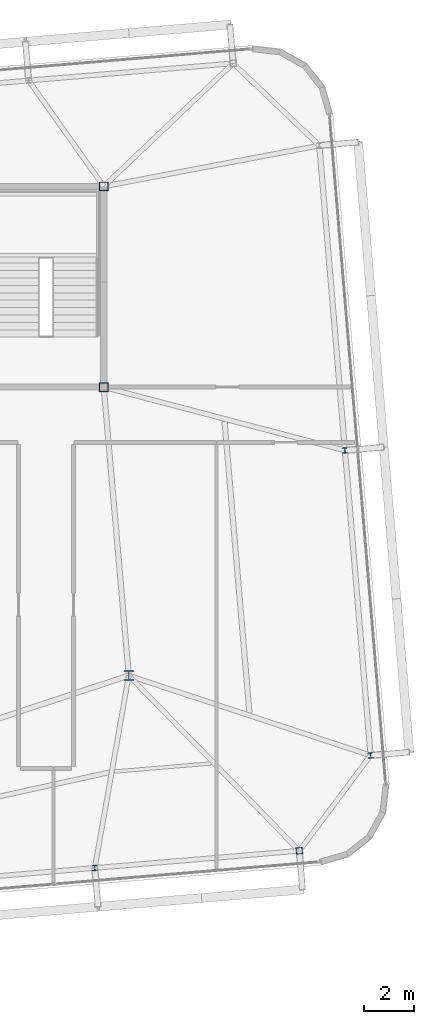
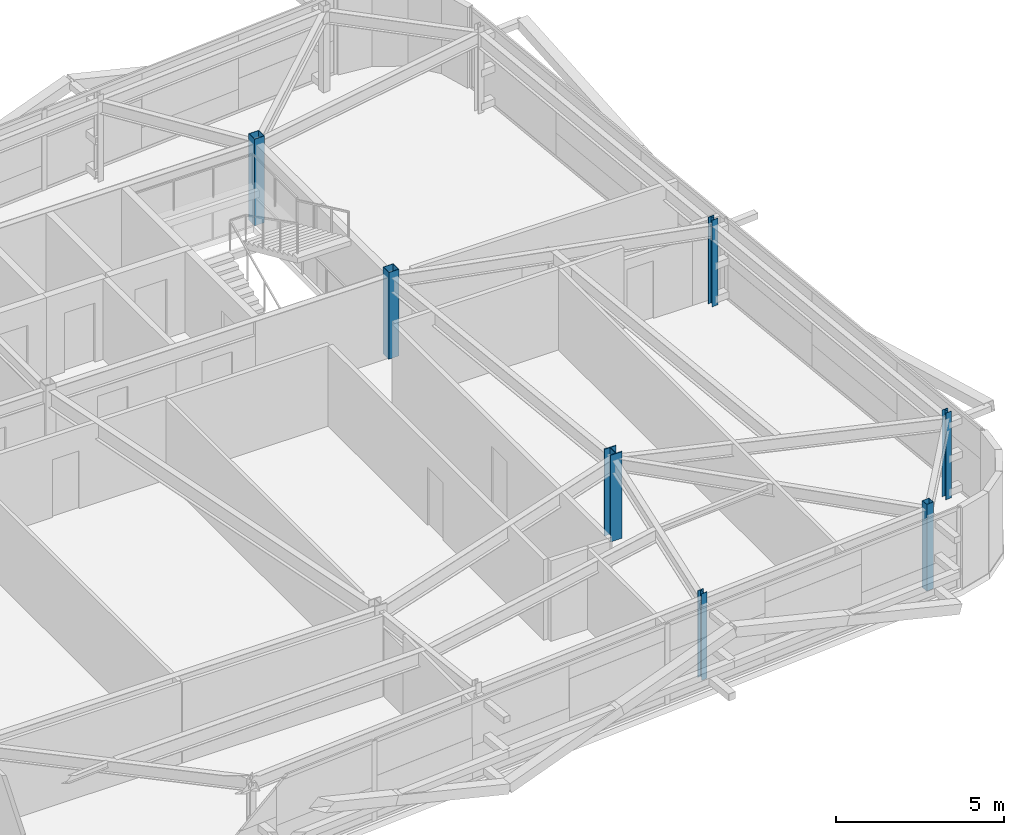
# One storey, part 4 of 39: 7 columns.
"""IFC4 building model written with IfcOpenShell, lengths in metres."""

from ifc_helpers import new_model, si_unit, direction, frame, origin, origin_2d, place, context, subcontext, project, spatial, hollow_rectangle, i_section, extrude, source, transform, mapped, material, material_profile, profile_set, type_object, element, save


model = new_model("IFC4")

# Units and contexts
model_context = context("Model", 3, precision=1e-05, world=origin(), true_north=direction((0.0, 1.0)))
body_context = subcontext(model_context, "Body", "Model", "MODEL_VIEW")
ifc_project = project(units=[si_unit("LENGTHUNIT", "METRE"), si_unit("AREAUNIT", "SQUARE_METRE"), si_unit("VOLUMEUNIT", "CUBIC_METRE"), si_unit("PLANEANGLEUNIT", "RADIAN"), si_unit("MASSUNIT", "GRAM", prefix="KILO")], contexts=[model_context])

# Site, building, storey
site_placement = place(None, origin())
site = spatial("IfcSite", under=ifc_project, at=site_placement, CompositionType="ELEMENT")
building_placement = place(site_placement, origin())
building = spatial("IfcBuilding", under=site, at=building_placement, Name="Taldren Reach Tower", CompositionType="ELEMENT")
storey_placement = place(building_placement, frame((0.0, 0.0, 175.699951171875)))
storey = spatial("IfcBuildingStorey", under=building, at=storey_placement, Name="L53", CompositionType="ELEMENT", Elevation=175.699951171875)

# Columns
ifc_material_1 = material(Name="Steel Gr 350 (350PLUS)", Category="steel")
ifc_material_profile_1 = material_profile(ifc_material_1, i_section(OverallWidth=0.39990234375, OverallDepth=0.39599609375, WebThickness=0.02197265625, FlangeThickness=0.033935546875, at=origin_2d()), Name="400WC270")
ifc_profile_set_1 = profile_set([ifc_material_profile_1], Name="Steel Gr 350 (350PLUS)")
column_type_1 = type_object("IfcColumnType", Name="COL-WC400", PredefinedType="COLUMN", material=ifc_profile_set_1)
shared_shape_1 = source(origin(), body_context, "Body", "SweptSolid", [
    extrude(i_section(OverallWidth=0.39990234375, OverallDepth=0.39599609375, WebThickness=0.02197265625, FlangeThickness=0.033935546875, at=origin_2d()), origin(), (0.0, 0.0, 1.0), 3.150146484375),
])
column_1_placement = place(storey_placement, frame((52.0, 12.5, 0.0), z_axis=(0.0, 0.0, 1.0), x_axis=(1.0, 0.0, 0.0)))
element("IfcColumn", 1, at=column_1_placement, inside=storey, type_object=column_type_1, Name="Mega column MC-SE L53", PredefinedType="COLUMN", context=body_context, shape_type="MappedRepresentation", body=[
    mapped(shared_shape_1, transform((0.0, 0.0, 0.0), scale=1.0)),
])
ifc_material_2 = material(Name="Steel Gr 450 (C450L0)", Category="steel")
ifc_material_profile_2 = material_profile(ifc_material_2, hollow_rectangle(XDim=0.35009765625, YDim=0.35009765625, WallThickness=0.01611328125, at=origin_2d()), Name="350x350x16.0SHS")
ifc_profile_set_2 = profile_set([ifc_material_profile_2], Name="Steel Gr 450 (C450L0)")
column_type_2 = type_object("IfcColumnType", Name="COL-SHS350", PredefinedType="COLUMN", material=ifc_profile_set_2)
shared_shape_2 = source(origin(), body_context, "Body", "SweptSolid", [
    extrude(hollow_rectangle(XDim=0.35009765625, YDim=0.35009765625, WallThickness=0.01611328125, at=origin_2d()), origin(), (0.0, 0.0, 1.0), 3.150146484375),
])
for number, where, z_axis, x_axis, name in (
    (2, (51.0, 24.0, 0.0), (0.0, 0.0, 1.0), (1.0, 0.0, 0.0), "Mega column MC-C4 L53"),
    (3, (51.0, 32.0, 0.0), (0.0, 0.0, 1.0), (1.0, 0.0, 0.0), "Mega column MC-C8 L53"),
):
    element("IfcColumn", number, at=place(storey_placement, frame(where, z_axis=z_axis, x_axis=x_axis)), inside=storey, type_object=column_type_2, Name=name, PredefinedType="COLUMN", context=body_context, shape_type="MappedRepresentation", body=[
        mapped(shared_shape_2, transform((0.0, 0.0, 0.0), scale=1.0)),
    ])
ifc_material_3 = material(Name="Steel Gr 350 (C350L0)", Category="steel")
ifc_material_profile_3 = material_profile(ifc_material_3, hollow_rectangle(XDim=0.25, YDim=0.25, WallThickness=0.010009765625, at=origin_2d()), Name="250x250x10.0SHS")
ifc_profile_set_3 = profile_set([ifc_material_profile_3], Name="Steel Gr 350 (C350L0)")
column_type_3 = type_object("IfcColumnType", Name="COL-SHS250", PredefinedType="COLUMN", material=ifc_profile_set_3)
shared_shape_3 = source(origin(), body_context, "Body", "SweptSolid", [
    extrude(hollow_rectangle(XDim=0.25, YDim=0.25, WallThickness=0.010009765625, at=origin_2d()), origin(), (0.0, 0.0, 1.0), 3.150146484375),
])
column_2_placement = place(storey_placement, frame((58.796142578125, 5.516357421875, 0.0), z_axis=(0.0, 0.0, 1.0), x_axis=(0.99649285925, 0.083677843332, 0.0)))
element("IfcColumn", 4, at=column_2_placement, inside=storey, type_object=column_type_3, Name="Block B4 perimeter column S6 L53", PredefinedType="COLUMN", context=body_context, shape_type="MappedRepresentation", body=[
    mapped(shared_shape_3, transform((0.0, 0.0, 0.0), scale=1.0)),
])
ifc_material_profile_4 = material_profile(ifc_material_1, i_section(OverallWidth=0.205078125, OverallDepth=0.2099609375, WebThickness=0.00927734375, FlangeThickness=0.01416015625, at=origin_2d()), Name="200UC59.5")
ifc_profile_set_4 = profile_set([ifc_material_profile_4], Name="Steel Gr 350 (350PLUS)")
column_type_4 = type_object("IfcColumnType", Name="COL-UC200", PredefinedType="COLUMN", material=ifc_profile_set_4)
shared_shape_4 = source(origin(), body_context, "Body", "SweptSolid", [
    extrude(i_section(OverallWidth=0.205078125, OverallDepth=0.2099609375, WebThickness=0.00927734375, FlangeThickness=0.01416015625, at=origin_2d()), origin(), (0.0, 0.0, 1.0), 3.150146484375),
])
for number, where, z_axis, x_axis, name in (
    (5, (50.644775390625, 4.83203125, 0.0), (0.0, 0.0, 1.0), (0.99649285925, 0.083677843332, 0.0), "Block B4 perimeter column S5 L53"),
    (6, (61.63818359375, 9.317626953125, 0.0), (0.0, 0.0, 1.0), (0.99649285925, 0.083677843332, 0.0), "Block B4 perimeter column E1 L53"),
    (7, (60.6171875, 21.474853515625, 0.0), (0.0, 0.0, 1.0), (0.99649285925, 0.083677843332, 0.0), "Block B4 perimeter column E2 L53"),
):
    element("IfcColumn", number, at=place(storey_placement, frame(where, z_axis=z_axis, x_axis=x_axis)), inside=storey, type_object=column_type_4, Name=name, PredefinedType="COLUMN", context=body_context, shape_type="MappedRepresentation", body=[
        mapped(shared_shape_4, transform((0.0, 0.0, 0.0), scale=1.0)),
    ])

save(model, "model.ifc")
